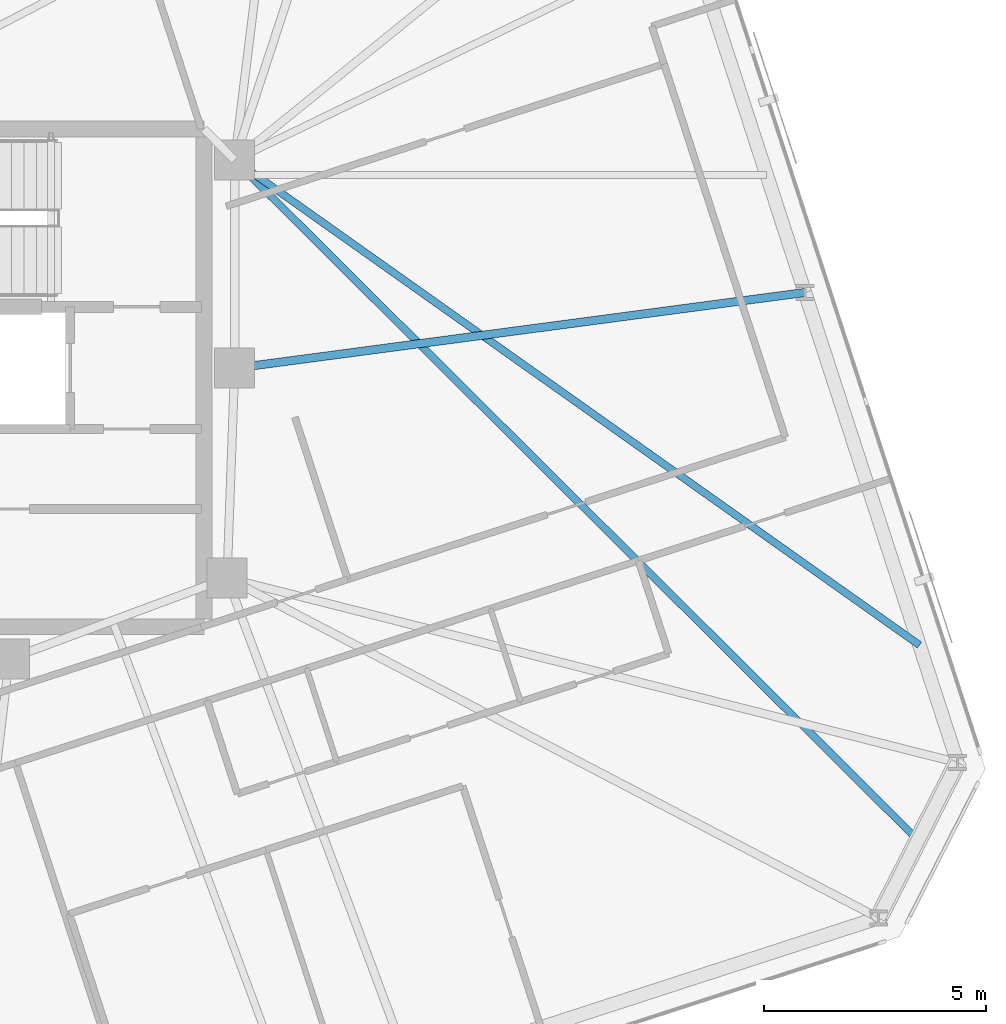
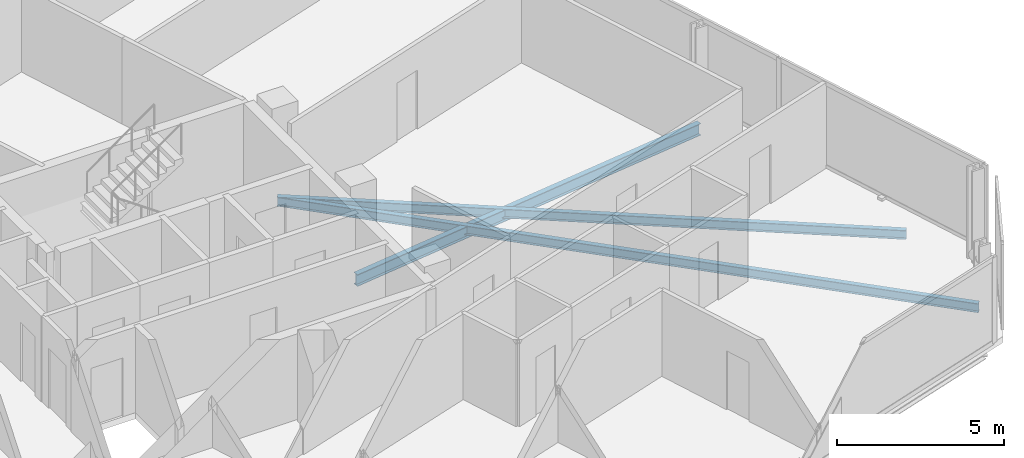
# One storey, part 8 of 20: 3 beams.
"""IFC4 building model written with IfcOpenShell, lengths in metres."""

from ifc_helpers import new_model, si_unit, direction, frame, origin, origin_2d, place, context, subcontext, project, spatial, i_section, extrude, material, material_profile, profile_set, type_object, element, save


model = new_model("IFC4")

# Units and contexts
model_context = context("Model", 3, precision=1e-05, world=origin(), true_north=direction((0.0, 1.0)))
body_context = subcontext(model_context, "Body", "Model", "MODEL_VIEW")
ifc_project = project(units=[si_unit("LENGTHUNIT", "METRE"), si_unit("AREAUNIT", "SQUARE_METRE"), si_unit("VOLUMEUNIT", "CUBIC_METRE"), si_unit("PLANEANGLEUNIT", "RADIAN"), si_unit("MASSUNIT", "GRAM", prefix="KILO")], contexts=[model_context])

# Site, building, storey
site_placement = place(None, origin())
site = spatial("IfcSite", under=ifc_project, at=site_placement, CompositionType="ELEMENT")
building_placement = place(site_placement, origin())
building = spatial("IfcBuilding", under=site, at=building_placement, Name="Menara Jurai Vektor", CompositionType="ELEMENT")
storey_placement = place(building_placement, frame((0.0, 0.0, 247.75)))
storey = spatial("IfcBuildingStorey", under=building, at=storey_placement, Name="L66", CompositionType="ELEMENT", Elevation=247.75)

# Beams
ifc_material = material(Name="Steel S355", Category="steel")
ifc_material_profile_1 = material_profile(ifc_material, i_section(OverallWidth=0.18505859375, OverallDepth=0.429931640625, WebThickness=0.010986328125, FlangeThickness=0.01806640625, at=origin_2d()), Name="PG 430x185x76")
ifc_profile_set_1 = profile_set([ifc_material_profile_1], Name="Steel S355")
beam_type_1 = type_object("IfcBeamType", Name="STR-BM-430", PredefinedType="BEAM", material=ifc_profile_set_1)
beam_1_placement = place(storey_placement, frame((28.07763671875, 1.92236328125, -0.43994140625), z_axis=(-0.99130829243, -0.131559375797, 0.0), x_axis=(0.131559375797, -0.99130829243, 0.0)))
element("IfcBeam", 1, at=beam_1_placement, inside=storey, type_object=beam_type_1, Name="Radial Floor Girder L66-E2", PredefinedType="BEAM", context=body_context, shape_type="SweptSolid", body=[
    extrude(i_section(OverallWidth=0.18505859375, OverallDepth=0.429931640625, WebThickness=0.010986328125, FlangeThickness=0.01806640625, at=origin_2d()), origin(), (0.0, 0.0, 1.0), 12.940185546875),
])
ifc_material_profile_2 = material_profile(ifc_material, i_section(OverallWidth=0.1650390625, OverallDepth=0.330078125, WebThickness=0.009033203125, FlangeThickness=0.013916015625, at=origin_2d()), Name="PG 330x165x46")
ifc_profile_set_2 = profile_set([ifc_material_profile_2], Name="Steel S355")
beam_type_2 = type_object("IfcBeamType", Name="STR-JS-330", PredefinedType="JOIST", material=ifc_profile_set_2)
beam_2_placement = place(storey_placement, frame((30.62353515625, -10.398681640625, -0.389892578125), z_axis=(-0.70883256901, 0.705376771032, 0.0), x_axis=(-0.705376771032, -0.70883256901, 0.0)))
element("IfcBeam", 2, at=beam_2_placement, inside=storey, type_object=beam_type_2, Name="Radial Secondary Floor Joist L66-JS09", PredefinedType="JOIST", context=body_context, shape_type="SweptSolid", body=[
    extrude(i_section(OverallWidth=0.1650390625, OverallDepth=0.330078125, WebThickness=0.009033203125, FlangeThickness=0.013916015625, at=origin_2d()), origin(), (0.0, 0.0, 1.0), 21.6884765625),
])
beam_3_placement = place(storey_placement, frame((30.654296875, -6.00830078125, -0.389892578125), z_axis=(-0.816103783972, 0.577905367501, 0.0), x_axis=(-0.577905367501, -0.816103783972, 0.0)))
element("IfcBeam", 3, at=beam_3_placement, inside=storey, type_object=beam_type_2, Name="Radial Secondary Floor Joist L66-JS10", PredefinedType="JOIST", context=body_context, shape_type="SweptSolid", body=[
    extrude(i_section(OverallWidth=0.1650390625, OverallDepth=0.330078125, WebThickness=0.009033203125, FlangeThickness=0.013916015625, at=origin_2d()), origin(), (0.0, 0.0, 1.0), 18.87548828125),
])

save(model, "model.ifc")
